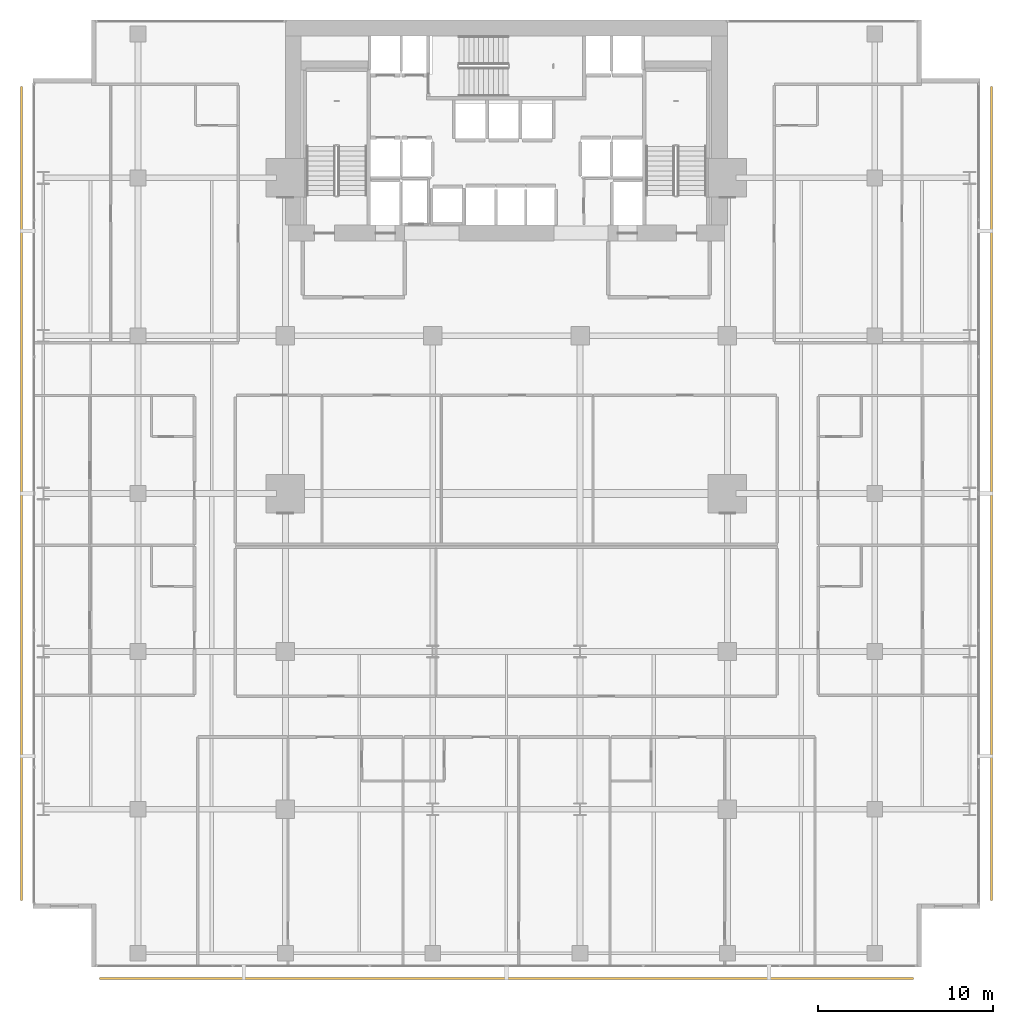
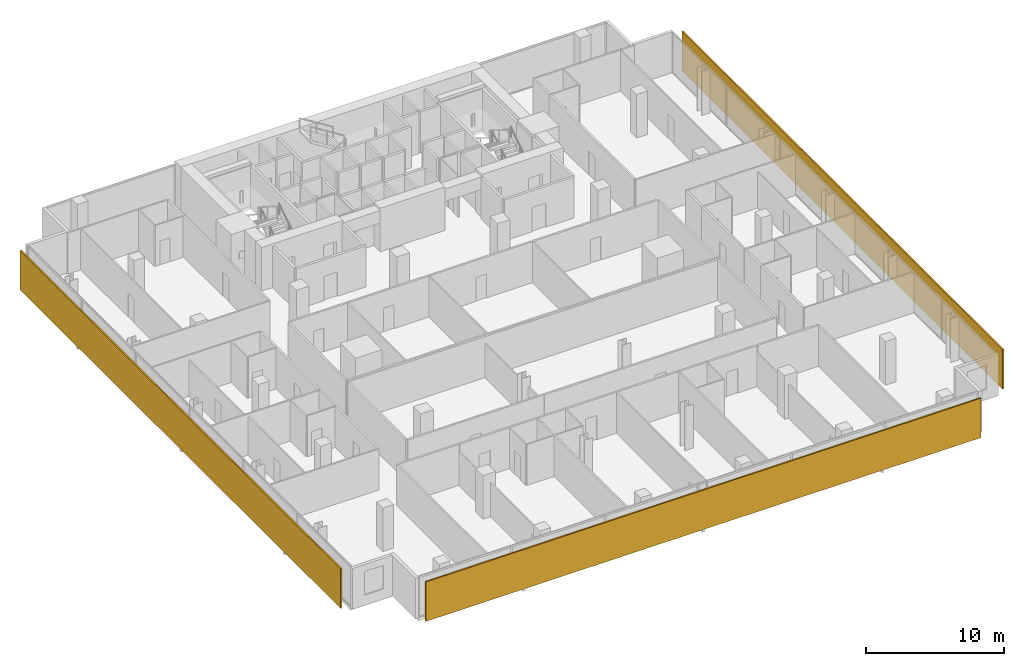
# One storey, part 38 of 39: 3 shading devices.
"""IFC4 building model written with IfcOpenShell, lengths in metres."""

import ifcopenshell
import ifcopenshell.guid

model = None  # the IFC model being written
_history = None  # IfcOwnerHistory: only IFC2X3 demands one
_inside = {}  # id of a spatial element -> (the spatial element, [elements in it])
_under = {}  # id of a project, library or spatial element -> (it, [spatial elements below it])
_declared = {}  # id of a project -> (the project, [libraries it declares])
_typed = {}  # id of a type object -> (the type object, [elements of that type])
_made_of = {}  # id of a material, layer set ... -> (it, [elements and type objects made of it])


def new_model(schema):
    """Start an empty IFC model of exactly this schema.

    Asked for "IFC4X3", IfcOpenShell would pick the latest addendum, in which some entities
    have other attributes; the version numbers below select the first issue.
    IFC2X3 requires an IfcOwnerHistory on every rooted entity: one is made here for all.
    """
    global model, _history
    if schema == "IFC4X3":
        model = ifcopenshell.file(schema_version=(4, 3, 0, 0))
    else:
        model = ifcopenshell.file(schema=schema)
    _inside.clear()
    _under.clear()
    _declared.clear()
    _typed.clear()
    _made_of.clear()
    _history = None
    if model.schema == "IFC2X3":
        org = make("IfcOrganization", Name="unknown")
        user = make(
            "IfcPersonAndOrganization",
            ThePerson=make("IfcPerson", FamilyName="unknown"),
            TheOrganization=org,
        )
        app = make(
            "IfcApplication",
            ApplicationDeveloper=org,
            Version="unknown",
            ApplicationFullName="unknown",
            ApplicationIdentifier="unknown",
        )
        _history = make(
            "IfcOwnerHistory",
            OwningUser=user,
            OwningApplication=app,
            ChangeAction="ADDED",
            CreationDate=0,
        )
    return model


def make(cls, **values):
    """One entity of the class cls with the attributes given. An attribute that is None is left unset."""
    return model.create_entity(
        cls, **{name: value for name, value in values.items() if value is not None}
    )


def rooted(cls, **values):
    """An entity with a GlobalId (a new one), such as an element, a storey or a relation."""
    return make(cls, GlobalId=ifcopenshell.guid.new(), OwnerHistory=_history, **values)


def si_unit(unit_type, name, prefix=None):
    """IfcSIUnit, for example si_unit("LENGTHUNIT", "METRE", prefix="MILLI")."""
    return make("IfcSIUnit", UnitType=unit_type, Prefix=prefix, Name=name)


def assignment(units):
    """IfcUnitAssignment: the units of a project."""
    return None if units is None else make("IfcUnitAssignment", Units=units)


def point(xyz):
    """IfcCartesianPoint."""
    return None if xyz is None else make("IfcCartesianPoint", Coordinates=xyz)


def direction(xyz):
    """IfcDirection."""
    return None if xyz is None else make("IfcDirection", DirectionRatios=xyz)


def frame(location, z_axis=None, x_axis=None):
    """IfcAxis2Placement3D, a coordinate frame: its origin and axes. An axis left out is left unset."""
    return make(
        "IfcAxis2Placement3D",
        Location=point(location),
        Axis=direction(z_axis),
        RefDirection=direction(x_axis),
    )


def frame_2d(location, x_axis=None):
    """IfcAxis2Placement2D, a coordinate frame in the plane: its origin and x axis."""
    return make(
        "IfcAxis2Placement2D", Location=point(location), RefDirection=direction(x_axis)
    )


def origin():
    """The frame at (0, 0, 0) with its axes left unset."""
    return frame((0.0, 0.0, 0.0))


def origin_2d():
    """The frame at (0, 0) in the plane with its x axis left unset."""
    return frame_2d((0.0, 0.0))


def place(relative_to, where):
    """IfcLocalPlacement: puts the frame where relative to a parent placement (None: the world)."""
    return make(
        "IfcLocalPlacement", PlacementRelTo=relative_to, RelativePlacement=where
    )


def context(
    kind, dimensions, precision=None, world=None, true_north=None, identifier=None
):
    """IfcGeometricRepresentationContext, for example the 3D "Model" context."""
    return make(
        "IfcGeometricRepresentationContext",
        ContextIdentifier=identifier,
        ContextType=kind,
        CoordinateSpaceDimension=dimensions,
        Precision=precision,
        WorldCoordinateSystem=world,
        TrueNorth=true_north,
    )


def subcontext(parent, identifier, kind, view, scale=None):
    """IfcGeometricRepresentationSubContext, for example "Body" below "Model"."""
    return make(
        "IfcGeometricRepresentationSubContext",
        ContextIdentifier=identifier,
        ContextType=kind,
        ParentContext=parent,
        TargetScale=scale,
        TargetView=view,
    )


def project(units=None, contexts=None):
    """IfcProject with its units and contexts."""
    return rooted(
        "IfcProject",
        Name="project",
        RepresentationContexts=contexts,
        UnitsInContext=assignment(units),
    )


def spatial(cls, under=None, at=None, **own):
    """A site, building, storey or space (cls), placed at a placement, below another one or the project."""
    s = rooted(cls, ObjectPlacement=at, **own)
    if under is not None:
        _under.setdefault(under.id(), (under, []))[1].append(s)
    return s


def profile(cls, at=None, kind="AREA", **sizes):
    """A parametric profile (cls). Its sizes go by their IFC names, for example OverallWidth=200.0."""
    return make(cls, ProfileType=kind, Position=at, **sizes)


def rectangle(**sizes):
    """IfcRectangleProfileDef."""
    return profile("IfcRectangleProfileDef", **sizes)


def extrude(swept, where, along, depth):
    """IfcExtrudedAreaSolid: the profile swept, set in the frame where, extruded along a direction by depth."""
    return make(
        "IfcExtrudedAreaSolid",
        SweptArea=swept,
        Position=where,
        ExtrudedDirection=direction(along),
        Depth=depth,
    )


def shape(context_of_items, identifier, shape_type, items):
    """IfcShapeRepresentation: the items that make up one representation, for example the "Body"."""
    return make(
        "IfcShapeRepresentation",
        ContextOfItems=context_of_items,
        RepresentationIdentifier=identifier,
        RepresentationType=shape_type,
        Items=items,
    )


def material(Name=None, Category=None):
    """IfcMaterial."""
    return make("IfcMaterial", Name=Name, Category=Category)


def layer(
    of_material, thickness, ventilated=None, Name=None, Category=None, Priority=None
):
    """IfcMaterialLayer: one layer of a wall or slab, of a material (None: an air gap)."""
    return make(
        "IfcMaterialLayer",
        Material=of_material,
        LayerThickness=thickness,
        IsVentilated=ventilated,
        Name=Name,
        Category=Category,
        Priority=Priority,
    )


def layer_set(layers, Name=None):
    """IfcMaterialLayerSet."""
    return make("IfcMaterialLayerSet", MaterialLayers=layers, LayerSetName=Name)


def made_of(thing, what):
    """Note that an element or type object is made of a material, layer set ...; save() writes the relation."""
    if what is not None:
        _made_of.setdefault(what.id(), (what, []))[1].append(thing)
    return thing


def type_object(cls, material=None, **own):
    """A type object (cls), such as IfcWallType, which elements share."""
    return made_of(rooted(cls, **own), material)


def element(
    cls,
    number,
    at=None,
    inside=None,
    cuts=None,
    type_object=None,
    material=None,
    context=None,
    identifier="Body",
    shape_type=None,
    held_by="IfcProductDefinitionShape",
    body=None,
    shapes=None,
    **own,
):
    """One element of the class cls, such as IfcWall. Its Tag is "e" and its number.

    at: its placement. inside: the storey or other place that contains it. cuts: it is an
    opening in that element (IfcRelVoidsElement). A single representation is given by context,
    identifier, shape_type and body (its items); several are given by shapes. held_by: the class
    of the entity that holds the representations. save() writes the other relations.
    """
    e = rooted(cls, Tag="e%d" % number, ObjectPlacement=at, **own)
    if body is not None:
        shapes = [shape(context, identifier, shape_type, body)]
    if shapes is not None:
        e.Representation = make(held_by, Representations=shapes)
    if inside is not None:
        _inside.setdefault(inside.id(), (inside, []))[1].append(e)
    if cuts is not None:
        rooted(
            "IfcRelVoidsElement", RelatingBuildingElement=cuts, RelatedOpeningElement=e
        )
    if type_object is not None:
        _typed.setdefault(type_object.id(), (type_object, []))[1].append(e)
    return made_of(e, material)


def aggregate(whole, parts):
    """IfcRelAggregates: a whole, such as a stair, and the parts it consists of."""
    return rooted("IfcRelAggregates", RelatingObject=whole, RelatedObjects=parts)


def save(model, path):
    """Write the relations noted so far, then the file.

    IfcRelAggregates (storeys below a building ...), IfcRelContainedInSpatialStructure (elements
    in a storey), IfcRelDefinesByType, IfcRelAssociatesMaterial and IfcRelDeclares: one each for
    every whole, place, type object, material and project.
    """
    for whole, parts in _under.values():
        aggregate(whole, parts)
    for where, things in _inside.values():
        rooted(
            "IfcRelContainedInSpatialStructure",
            RelatedElements=things,
            RelatingStructure=where,
        )
    for kind, things in _typed.values():
        rooted("IfcRelDefinesByType", RelatedObjects=things, RelatingType=kind)
    for what, things in _made_of.values():
        rooted("IfcRelAssociatesMaterial", RelatedObjects=things, RelatingMaterial=what)
    for by, libraries in _declared.values():
        rooted("IfcRelDeclares", RelatingContext=by, RelatedDefinitions=libraries)
    model.write(path)


model = new_model("IFC4")

# Units and contexts
model_context = context("Model", 3, precision=1e-05, world=origin(), true_north=direction((0.0, 1.0)))
body_context = subcontext(model_context, "Body", "Model", "MODEL_VIEW")
ifc_project = project(units=[si_unit("LENGTHUNIT", "METRE"), si_unit("AREAUNIT", "SQUARE_METRE"), si_unit("VOLUMEUNIT", "CUBIC_METRE"), si_unit("PLANEANGLEUNIT", "RADIAN"), si_unit("MASSUNIT", "GRAM", prefix="KILO")], contexts=[model_context])

# Site, building, storey
site_placement = place(None, origin())
site = spatial("IfcSite", under=ifc_project, at=site_placement, CompositionType="ELEMENT")
building_placement = place(site_placement, origin())
building = spatial("IfcBuilding", under=site, at=building_placement, Name="Maruvema Waterfront Hotel and Observation Tower", CompositionType="ELEMENT")
storey_placement = place(building_placement, frame((0.0, 0.0, 69.300048828125)))
storey = spatial("IfcBuildingStorey", under=building, at=storey_placement, Name="L16", CompositionType="ELEMENT", Elevation=69.300048828125)

# Shading devices
ifc_material = material(Name="Honed travertine stone and anodised architectural bronze", Category="masonry")
ifc_layer = layer(ifc_material, 0.1201171875, Name="Ventilated Outer Skin Cobogo Stone-and-Bronze Screen 120 mm")
ifc_layer_set = layer_set([ifc_layer], Name="Honed travertine stone and anodised architectural bronze")
shading_device_type = type_object("IfcShadingDeviceType", Name="Ventilated Outer Skin Cobogo Stone-and-Bronze Screen 120 mm", PredefinedType="USERDEFINED", material=ifc_layer_set)
for number, where, z_axis, x_axis, name in (
    (1, (37.800048828125, -0.64990234375, 0.06005859375), (0.0, 0.0, 1.0), (1.0, 0.0, 0.0), "L16 Ventilated Double-Skin Outer Cobogo Screen OS-L16-S"),
    (2, (65.449951171875, 27.0, 0.06005859375), (0.0, 0.0, 1.0), (0.0, 1.0, 0.0), "L16 Ventilated Double-Skin Outer Cobogo Screen OS-L16-E"),
    (3, (10.14990234375, 27.0, 0.06005859375), (0.0, 0.0, 1.0), (0.0, -1.0, 0.0), "L16 Ventilated Double-Skin Outer Cobogo Screen OS-L16-W"),
):
    element("IfcShadingDevice", number, at=place(storey_placement, frame(where, z_axis=z_axis, x_axis=x_axis)), inside=storey, type_object=shading_device_type, Name=name, ObjectType="OUTER SKIN SCREEN", PredefinedType="USERDEFINED", context=body_context, shape_type="SweptSolid", body=[
        extrude(rectangle(XDim=46.39990234375, YDim=0.1201171875, at=origin_2d()), origin(), (0.0, 0.0, 1.0), 3.489990234375),
    ])

save(model, "model.ifc")
